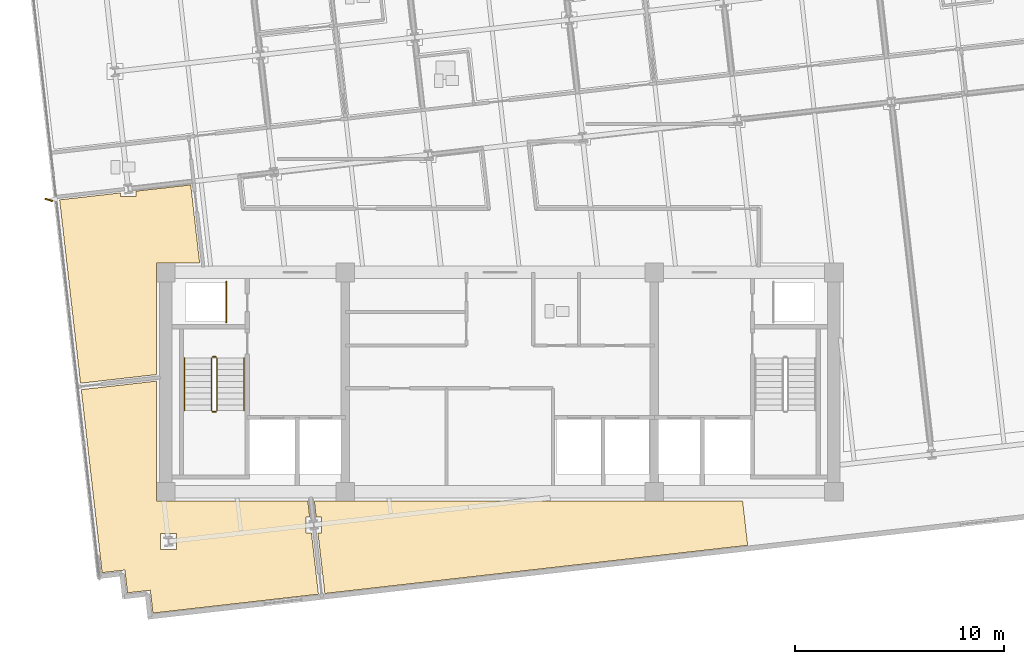
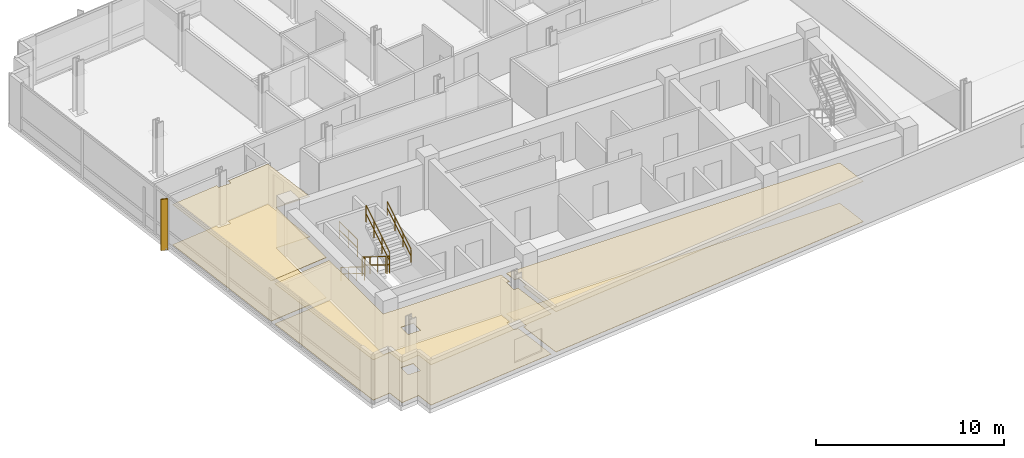
# One storey, part 12 of 16: 7 railings, 6 coverings, 1 shading device.
"""IFC4 building model written with IfcOpenShell, lengths in metres."""

from ifc_helpers import new_model, si_unit, direction, frame, origin, origin_2d, place, context, subcontext, project, spatial, polyline, rectangle, circle, outline, extrude, material, layer, layer_set, type_object, element, save


model = new_model("IFC4")

# Units and contexts
model_context = context("Model", 3, precision=1e-05, world=origin(), true_north=direction((0.0, 1.0)))
body_context = subcontext(model_context, "Body", "Model", "MODEL_VIEW")
ifc_project = project(units=[si_unit("LENGTHUNIT", "METRE"), si_unit("AREAUNIT", "SQUARE_METRE"), si_unit("VOLUMEUNIT", "CUBIC_METRE"), si_unit("PLANEANGLEUNIT", "RADIAN"), si_unit("MASSUNIT", "GRAM", prefix="KILO")], contexts=[model_context])

# Site, building, storey
site_placement = place(None, origin())
site = spatial("IfcSite", under=ifc_project, at=site_placement, CompositionType="ELEMENT")
building_placement = place(site_placement, origin())
building = spatial("IfcBuilding", under=site, at=building_placement, Name="Solmavex Isthmus Hotel", CompositionType="ELEMENT")
storey_placement = place(building_placement, frame((0.0, 0.0, 208.949951171875)))
storey = spatial("IfcBuildingStorey", under=building, at=storey_placement, Name="L56", CompositionType="ELEMENT", Elevation=208.949951171875)

# Coverings
ifc_material_1 = material(Name="Gypsum plasterboard lining", Category="gypsum")
ifc_layer_1 = layer(ifc_material_1, 0.030029296875)
ifc_layer_set_1 = layer_set([ifc_layer_1], Name="Gypsum plasterboard lining")
covering_type_1 = type_object("IfcCoveringType", Name="COV-CEIL-GYP", PredefinedType="CEILING", material=ifc_layer_set_1)
covering_1_placement = place(storey_placement, frame((0.0, 0.0, 2.6201171875)))
element("IfcCovering", 1, at=covering_1_placement, inside=storey, type_object=covering_type_1, Name="Suspended Acoustic Ceiling L56-FL10", PredefinedType="CEILING", context=body_context, shape_type="SweptSolid", body=[
    extrude(outline(polyline([(-17.4169921875, 1.39453125), (-17.4169921875, 1.12744140625), (-18.177001953125, 1.12744140625), (-18.177001953125, 1.30810546875), (-21.0830078125, 0.97705078125), (-20.58544921875, -3.389892578125), (-20.082275390625, -7.80615234375), (-16.455078125, -7.39306640625), (-16.455078125, -2.044921875), (-14.3779296875, -2.044921875), (-14.8037109375, 1.6923828125), (-17.4169921875, 1.39453125)])), origin(), (0.0, 0.0, 1.0), 0.030029296875),
])
covering_2_placement = place(storey_placement, frame((0.0, 0.0, 2.6201171875)))
element("IfcCovering", 2, at=covering_2_placement, inside=storey, type_object=covering_type_1, Name="Suspended Acoustic Ceiling L56-FL11", PredefinedType="CEILING", context=body_context, shape_type="SweptSolid", body=[
    extrude(outline(polyline([(-9.022216796875, -14.969970703125), (-9.28955078125, -14.969970703125), (-9.28955078125, -14.2099609375), (-9.10888671875, -14.2099609375), (-9.114501953125, -14.160400390625), (-9.19482421875, -13.455078125), (-16.455078125, -13.455078125), (-16.455078125, -7.704833984375), (-20.047119140625, -8.1142578125), (-19.22705078125, -15.312744140625), (-19.14208984375, -16.057861328125), (-19.048828125, -16.87744140625), (-17.955810546875, -16.7529296875), (-17.831298828125, -17.845947265625), (-16.73828125, -17.721435546875), (-16.61376953125, -18.814453125), (-15.794189453125, -18.720947265625), (-8.687255859375, -17.9111328125), (-9.022216796875, -14.969970703125)]), holes=[polyline([(-16.25244140625, -15.763427734375), (-16.25244140625, -15.00341796875), (-15.492431640625, -15.00341796875), (-15.492431640625, -15.763427734375), (-16.25244140625, -15.763427734375)])]), origin(), (0.0, 0.0, 1.0), 0.030029296875),
])
covering_3_placement = place(storey_placement, frame((0.0, 0.0, 2.6201171875)))
element("IfcCovering", 3, at=covering_3_placement, inside=storey, type_object=covering_type_1, Name="Suspended Acoustic Ceiling L56-FL12", PredefinedType="CEILING", context=body_context, shape_type="SweptSolid", body=[
    extrude(outline(polyline([(-8.796875, -14.2099609375), (-8.529541015625, -14.2099609375), (-8.529541015625, -14.969970703125), (-8.710205078125, -14.969970703125), (-8.379150390625, -17.876220703125), (2.487548828125, -16.637939453125), (11.871826171875, -15.56884765625), (11.631103515625, -13.455078125), (-8.8828125, -13.455078125), (-8.796875, -14.2099609375)])), origin(), (0.0, 0.0, 1.0), 0.030029296875),
])
ifc_material_2 = material(Name="Travertine natural stone", Category="masonry")
ifc_layer_2 = layer(ifc_material_2, 0.02490234375)
ifc_layer_set_2 = layer_set([ifc_layer_2], Name="Travertine natural stone")
covering_type_2 = type_object("IfcCoveringType", Name="COV-FLOR-STN", PredefinedType="FLOORING", material=ifc_layer_set_2)
covering_4_placement = place(storey_placement, origin())
element("IfcCovering", 4, at=covering_4_placement, inside=storey, type_object=covering_type_2, Name="Stone and Timber Floor Finish L56-FL10", PredefinedType="FLOORING", context=body_context, shape_type="SweptSolid", body=[
    extrude(outline(polyline([(-17.4169921875, 1.39453125), (-17.4169921875, 1.12744140625), (-18.177001953125, 1.12744140625), (-18.177001953125, 1.30810546875), (-21.0830078125, 0.97705078125), (-20.58544921875, -3.389892578125), (-20.082275390625, -7.80615234375), (-16.455078125, -7.39306640625), (-16.455078125, -2.044921875), (-14.3779296875, -2.044921875), (-14.8037109375, 1.6923828125), (-17.4169921875, 1.39453125)])), origin(), (0.0, 0.0, 1.0), 0.025146484375),
])
covering_5_placement = place(storey_placement, origin())
element("IfcCovering", 5, at=covering_5_placement, inside=storey, type_object=covering_type_2, Name="Stone and Timber Floor Finish L56-FL11", PredefinedType="FLOORING", context=body_context, shape_type="SweptSolid", body=[
    extrude(outline(polyline([(-9.022216796875, -14.969970703125), (-9.28955078125, -14.969970703125), (-9.28955078125, -14.2099609375), (-9.10888671875, -14.2099609375), (-9.114501953125, -14.160400390625), (-9.19482421875, -13.455078125), (-16.455078125, -13.455078125), (-16.455078125, -7.704833984375), (-20.047119140625, -8.1142578125), (-19.22705078125, -15.312744140625), (-19.14208984375, -16.057861328125), (-19.048828125, -16.87744140625), (-17.955810546875, -16.7529296875), (-17.831298828125, -17.845947265625), (-16.73828125, -17.721435546875), (-16.61376953125, -18.814453125), (-15.794189453125, -18.720947265625), (-8.687255859375, -17.9111328125), (-9.022216796875, -14.969970703125)]), holes=[polyline([(-16.25244140625, -15.763427734375), (-16.25244140625, -15.00341796875), (-15.492431640625, -15.00341796875), (-15.492431640625, -15.763427734375), (-16.25244140625, -15.763427734375)])]), origin(), (0.0, 0.0, 1.0), 0.025146484375),
])
covering_6_placement = place(storey_placement, origin())
element("IfcCovering", 6, at=covering_6_placement, inside=storey, type_object=covering_type_2, Name="Stone and Timber Floor Finish L56-FL12", PredefinedType="FLOORING", context=body_context, shape_type="SweptSolid", body=[
    extrude(outline(polyline([(-8.796875, -14.2099609375), (-8.529541015625, -14.2099609375), (-8.529541015625, -14.969970703125), (-8.710205078125, -14.969970703125), (-8.379150390625, -17.876220703125), (2.487548828125, -16.637939453125), (11.871826171875, -15.56884765625), (11.631103515625, -13.455078125), (-8.8828125, -13.455078125), (-8.796875, -14.2099609375)])), origin(), (0.0, 0.0, 1.0), 0.025146484375),
])

# Railings
ifc_material_3 = material(Name="Clear low-E laminated glass", Category="glass")
ifc_layer_3 = layer(ifc_material_3, 0.080078125)
ifc_layer_set_3 = layer_set([ifc_layer_3], Name="Clear low-E laminated glass")
railing_type_1 = type_object("IfcRailingType", Name="RAIL-ATRIUM-1120", PredefinedType="BALUSTRADE", material=ifc_layer_set_3)
railing_1_placement = place(storey_placement, frame((-13.10009765625, -4.89990234375, 0.0)))
element("IfcRailing", 7, at=railing_1_placement, inside=storey, type_object=railing_type_1, Name="Guardrail Balustrade L56-RSW-01", PredefinedType="BALUSTRADE", context=body_context, shape_type="SweptSolid", body=[
    extrude(circle(Radius=0.02392578125, at=origin_2d()), frame((0.0, 0.0, 1.1259765625), z_axis=(0.0, 1.0, 0.0), x_axis=(-1.0, 0.0, 0.0)), (0.0, 0.0, 1.0), 1.949951171875),
    extrude(circle(Radius=0.02392578125, at=origin_2d()), frame((0.0, 0.0, 0.574951171875), z_axis=(0.0, 1.0, 0.0), x_axis=(-1.0, 0.0, 0.0)), (0.0, 0.0, 1.0), 1.949951171875),
    extrude(circle(Radius=0.02099609375, at=origin_2d()), origin(), (0.0, 0.0, 1.0), 1.101806640625),
    extrude(circle(Radius=0.02099609375, at=origin_2d()), frame((0.0, 0.97509765625, 0.0)), (0.0, 0.0, 1.0), 1.101806640625),
    extrude(circle(Radius=0.02099609375, at=origin_2d()), frame((0.0, 1.949951171875, 0.0)), (0.0, 0.0, 1.0), 1.101806640625),
])
ifc_material_4 = material(Name="Stainless steel 316", Category="steel")
ifc_layer_4 = layer(ifc_material_4, 0.06005859375)
ifc_layer_set_4 = layer_set([ifc_layer_4], Name="Stainless steel 316")
railing_type_2 = type_object("IfcRailingType", Name="RAIL-STAIR-GD", PredefinedType="GUARDRAIL", material=ifc_layer_set_4)
railing_2_placement = place(storey_placement, frame((-13.800048828125, -6.60009765625, 0.172607421875)))
element("IfcRailing", 8, at=railing_2_placement, inside=storey, type_object=railing_type_2, Name="L56 ST-1 stair guard 1", PredefinedType="GUARDRAIL", context=body_context, shape_type="SweptSolid", body=[
    extrude(circle(Radius=0.02392578125, at=origin_2d()), frame((0.0, 0.0, 1.09619140625), z_axis=(0.0, -0.851400495292, 0.524516154772), x_axis=(1.0, 0.0, 0.0)), (0.0, 0.0, 1.0), 2.9599609375),
    extrude(circle(Radius=0.02392578125, at=origin_2d()), frame((0.0, 0.0, 0.56005859375), z_axis=(0.0, -0.851400495292, 0.524516154772), x_axis=(1.0, 0.0, 0.0)), (0.0, 0.0, 1.0), 2.9599609375),
    extrude(circle(Radius=0.02099609375, at=origin_2d()), origin(), (0.0, 0.0, 1.0), 1.072021484375),
    extrude(circle(Radius=0.02099609375, at=origin_2d()), frame((0.0, -0.840087890625, 0.517578125)), (0.0, 0.0, 1.0), 1.072021484375),
    extrude(circle(Radius=0.02099609375, at=origin_2d()), frame((0.0, -1.679931640625, 1.034912109375)), (0.0, 0.0, 1.0), 1.072021484375),
    extrude(circle(Radius=0.02099609375, at=origin_2d()), frame((0.0, -2.52001953125, 1.552490234375)), (0.0, 0.0, 1.0), 1.072021484375),
])
railing_3_placement = place(storey_placement, frame((-13.75, -9.169921875, 1.72509765625)))
element("IfcRailing", 9, at=railing_3_placement, inside=storey, type_object=railing_type_2, Name="L56 ST-1 stair guard 2", PredefinedType="GUARDRAIL", context=body_context, shape_type="SweptSolid", body=[
    extrude(circle(Radius=0.02392578125, at=origin_2d()), frame((0.0, 0.0, 1.09619140625), z_axis=(1.0, 0.0, 0.0), x_axis=(0.0, 1.0, 0.0)), (0.0, 0.0, 1.0), 0.14990234375),
    extrude(circle(Radius=0.02392578125, at=origin_2d()), frame((0.0, 0.0, 0.56005859375), z_axis=(1.0, 0.0, 0.0), x_axis=(0.0, 1.0, 0.0)), (0.0, 0.0, 1.0), 0.14990234375),
    extrude(circle(Radius=0.02099609375, at=origin_2d()), origin(), (0.0, 0.0, 1.0), 1.072021484375),
    extrude(circle(Radius=0.02099609375, at=origin_2d()), frame((0.14990234375, 0.0, 0.0)), (0.0, 0.0, 1.0), 1.072021484375),
])
railing_4_placement = place(storey_placement, frame((-13.550048828125, -9.1201171875, 1.8974609375)))
element("IfcRailing", 10, at=railing_4_placement, inside=storey, type_object=railing_type_2, Name="L56 ST-1 stair guard 3", PredefinedType="GUARDRAIL", context=body_context, shape_type="SweptSolid", body=[
    extrude(circle(Radius=0.02392578125, at=origin_2d()), frame((0.0, 0.0, 1.09619140625), z_axis=(0.0, 0.851400495292, 0.524516154772), x_axis=(-1.0, 0.0, 0.0)), (0.0, 0.0, 1.0), 2.9599609375),
    extrude(circle(Radius=0.02392578125, at=origin_2d()), frame((0.0, 0.0, 0.56005859375), z_axis=(0.0, 0.851400495292, 0.524516154772), x_axis=(-1.0, 0.0, 0.0)), (0.0, 0.0, 1.0), 2.9599609375),
    extrude(circle(Radius=0.02099609375, at=origin_2d()), origin(), (0.0, 0.0, 1.0), 1.072021484375),
    extrude(circle(Radius=0.02099609375, at=origin_2d()), frame((0.0, 0.840087890625, 0.517578125)), (0.0, 0.0, 1.0), 1.072021484375),
    extrude(circle(Radius=0.02099609375, at=origin_2d()), frame((0.0, 1.679931640625, 1.034912109375)), (0.0, 0.0, 1.0), 1.072021484375),
    extrude(circle(Radius=0.02099609375, at=origin_2d()), frame((0.0, 2.52001953125, 1.552490234375)), (0.0, 0.0, 1.0), 1.072021484375),
])
railing_5_placement = place(storey_placement, frame((-13.75, -6.550048828125, 0.0)))
element("IfcRailing", 11, at=railing_5_placement, inside=storey, type_object=railing_type_2, Name="L56 ST-1 stair guard 4", PredefinedType="GUARDRAIL", context=body_context, shape_type="SweptSolid", body=[
    extrude(circle(Radius=0.02392578125, at=origin_2d()), frame((0.0, 0.0, 1.09619140625), z_axis=(1.0, 0.0, 0.0), x_axis=(0.0, 1.0, 0.0)), (0.0, 0.0, 1.0), 0.14990234375),
    extrude(circle(Radius=0.02392578125, at=origin_2d()), frame((0.0, 0.0, 0.56005859375), z_axis=(1.0, 0.0, 0.0), x_axis=(0.0, 1.0, 0.0)), (0.0, 0.0, 1.0), 0.14990234375),
    extrude(circle(Radius=0.02099609375, at=origin_2d()), origin(), (0.0, 0.0, 1.0), 1.072021484375),
    extrude(circle(Radius=0.02099609375, at=origin_2d()), frame((0.14990234375, 0.0, 0.0)), (0.0, 0.0, 1.0), 1.072021484375),
])
ifc_layer_5 = layer(ifc_material_4, 0.050048828125)
ifc_layer_set_5 = layer_set([ifc_layer_5], Name="Stainless steel 316")
railing_type_3 = type_object("IfcRailingType", Name="RAIL-STAIR-HR", PredefinedType="HANDRAIL", material=ifc_layer_set_5)
railing_6_placement = place(storey_placement, frame((-15.10009765625, -6.60009765625, 0.172607421875)))
element("IfcRailing", 12, at=railing_6_placement, inside=storey, type_object=railing_type_3, Name="L56 ST-1 stair handrail 1", PredefinedType="HANDRAIL", context=body_context, shape_type="SweptSolid", body=[
    extrude(circle(Radius=0.02392578125, at=origin_2d()), frame((0.0, 0.0, 0.8759765625), z_axis=(0.0, -0.851400495292, 0.524516154772), x_axis=(1.0, 0.0, 0.0)), (0.0, 0.0, 1.0), 2.9599609375),
    extrude(circle(Radius=0.02392578125, at=origin_2d()), frame((0.0, 0.0, 0.449951171875), z_axis=(0.0, -0.851400495292, 0.524516154772), x_axis=(1.0, 0.0, 0.0)), (0.0, 0.0, 1.0), 2.9599609375),
    extrude(circle(Radius=0.02099609375, at=origin_2d()), origin(), (0.0, 0.0, 1.0), 0.851806640625),
    extrude(circle(Radius=0.02099609375, at=origin_2d()), frame((0.0, -0.840087890625, 0.517578125)), (0.0, 0.0, 1.0), 0.851806640625),
    extrude(circle(Radius=0.02099609375, at=origin_2d()), frame((0.0, -1.679931640625, 1.034912109375)), (0.0, 0.0, 1.0), 0.851806640625),
    extrude(circle(Radius=0.02099609375, at=origin_2d()), frame((0.0, -2.52001953125, 1.552490234375)), (0.0, 0.0, 1.0), 0.851806640625),
])
railing_7_placement = place(storey_placement, frame((-12.25, -9.1201171875, 1.8974609375)))
element("IfcRailing", 13, at=railing_7_placement, inside=storey, type_object=railing_type_3, Name="L56 ST-1 stair handrail 2", PredefinedType="HANDRAIL", context=body_context, shape_type="SweptSolid", body=[
    extrude(circle(Radius=0.02392578125, at=origin_2d()), frame((0.0, 0.0, 0.8759765625), z_axis=(0.0, 0.851400495292, 0.524516154772), x_axis=(-1.0, 0.0, 0.0)), (0.0, 0.0, 1.0), 2.9599609375),
    extrude(circle(Radius=0.02392578125, at=origin_2d()), frame((0.0, 0.0, 0.449951171875), z_axis=(0.0, 0.851400495292, 0.524516154772), x_axis=(-1.0, 0.0, 0.0)), (0.0, 0.0, 1.0), 2.9599609375),
    extrude(circle(Radius=0.02099609375, at=origin_2d()), origin(), (0.0, 0.0, 1.0), 0.851806640625),
    extrude(circle(Radius=0.02099609375, at=origin_2d()), frame((0.0, 0.840087890625, 0.517578125)), (0.0, 0.0, 1.0), 0.851806640625),
    extrude(circle(Radius=0.02099609375, at=origin_2d()), frame((0.0, 1.679931640625, 1.034912109375)), (0.0, 0.0, 1.0), 0.851806640625),
    extrude(circle(Radius=0.02099609375, at=origin_2d()), frame((0.0, 2.52001953125, 1.552490234375)), (0.0, 0.0, 1.0), 0.851806640625),
])

# Shading device
ifc_material_5 = material(Name="Aluminium alloy 6063-T6", Category="aluminium")
shading_device_type = type_object("IfcShadingDeviceType", Name="SHD-FIN-CHAMP", PredefinedType="USERDEFINED", material=ifc_material_5)
shading_device_placement = place(storey_placement, frame((-21.600830078125, 0.973388671875, -0.139892578125), z_axis=(0.0, 0.0, 1.0), x_axis=(-0.953716950748, 0.300705799504, 0.0)))
element("IfcShadingDevice", 14, at=shading_device_placement, inside=storey, type_object=shading_device_type, Name="Anodised Aluminium Solar Fin L56-W1", ObjectType="SOLAR_FIN", PredefinedType="USERDEFINED", context=body_context, shape_type="SweptSolid", body=[
    extrude(rectangle(XDim=0.3798828125, YDim=0.070068359375, at=origin_2d()), origin(), (0.0, 0.0, 1.0), 3.330078125),
])

save(model, "model.ifc")
